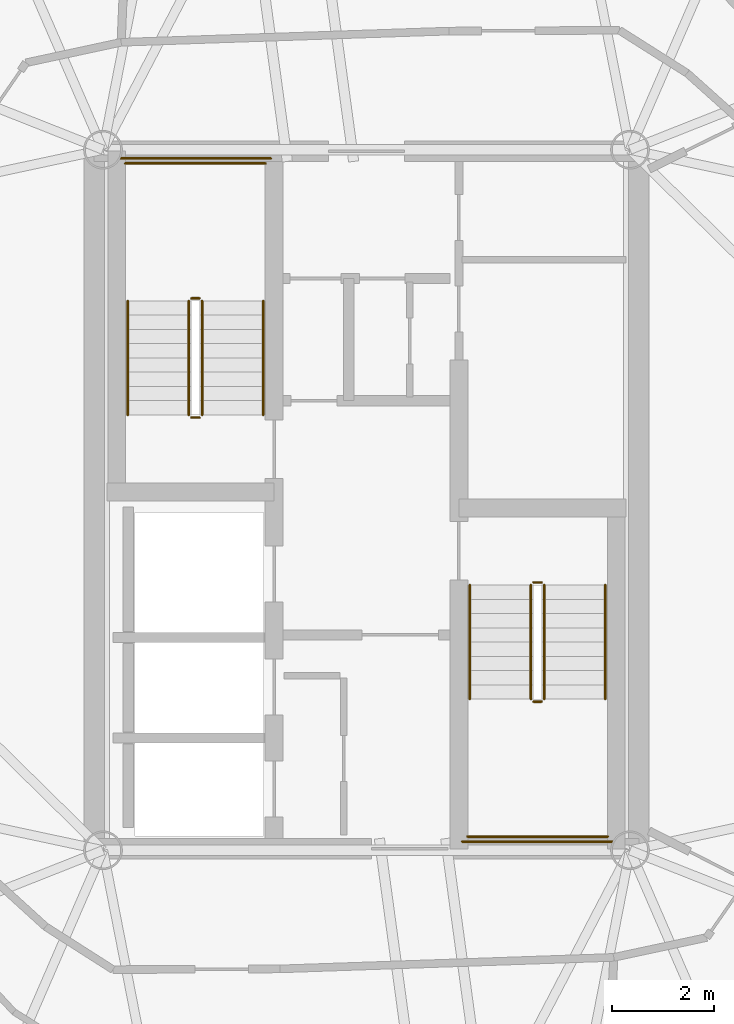
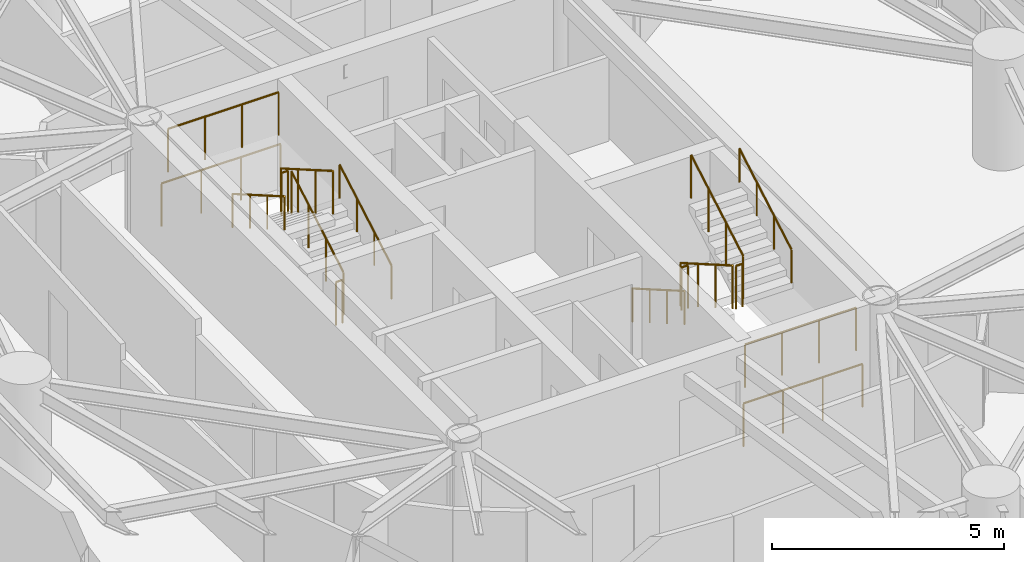
# One storey, part 16 of 17: 16 railings.
"""IFC4 building model written with IfcOpenShell, lengths in metres."""

from ifc_helpers import new_model, si_unit, direction, frame, origin, origin_2d, place, context, subcontext, project, spatial, circle, extrude, material, type_object, element, save


model = new_model("IFC4")

# Units and contexts
model_context = context("Model", 3, precision=1e-05, world=origin(), true_north=direction((0.0, 1.0)))
body_context = subcontext(model_context, "Body", "Model", "MODEL_VIEW")
ifc_project = project(units=[si_unit("LENGTHUNIT", "METRE"), si_unit("AREAUNIT", "SQUARE_METRE"), si_unit("VOLUMEUNIT", "CUBIC_METRE"), si_unit("PLANEANGLEUNIT", "RADIAN"), si_unit("MASSUNIT", "GRAM", prefix="KILO")], contexts=[model_context])

# Site, building, storey
site_placement = place(None, origin())
site = spatial("IfcSite", under=ifc_project, at=site_placement, CompositionType="ELEMENT")
building_placement = place(site_placement, origin())
building = spatial("IfcBuilding", under=site, at=building_placement, Name="Cununo Teusaquillo Station Towers", CompositionType="ELEMENT")
storey_placement = place(building_placement, frame((0.0, 0.0, 166.14990234375)))
storey = spatial("IfcBuildingStorey", under=building, at=storey_placement, Name="L52", CompositionType="ELEMENT", Elevation=166.14990234375)

# Railings
ifc_material_1 = material(Name="Steel EN 10025-2 S355J2", Category="steel")
railing_type_1 = type_object("IfcRailingType", Name="RL-INT-GUARD", PredefinedType="GUARDRAIL", material=ifc_material_1)
railing_1_placement = place(storey_placement, frame((13.27001953125, 26.169921875, 0.161865234375)))
element("IfcRailing", 1, at=railing_1_placement, inside=storey, type_object=railing_type_1, Name="L52 ST-T1-1 stair guard 1", PredefinedType="GUARDRAIL", context=body_context, shape_type="SweptSolid", body=[
    extrude(circle(Radius=0.02392578125, at=origin_2d()), frame((0.0, 0.0, 1.1259765625), z_axis=(0.0, 0.866033117094, 0.499986639918), x_axis=(-1.0, 0.0, 0.0)), (0.0, 0.0, 1.0), 2.58642578125),
    extrude(circle(Radius=0.02099609375, at=origin_2d()), origin(), (0.0, 0.0, 1.0), 1.101806640625),
    extrude(circle(Radius=0.02099609375, at=origin_2d()), frame((0.0, 0.74658203125, 0.43115234375)), (0.0, 0.0, 1.0), 1.101806640625),
    extrude(circle(Radius=0.02099609375, at=origin_2d()), frame((0.0, 1.493408203125, 0.862060546875)), (0.0, 0.0, 1.0), 1.101806640625),
    extrude(circle(Radius=0.02099609375, at=origin_2d()), frame((0.0, 2.239990234375, 1.293212890625)), (0.0, 0.0, 1.0), 1.101806640625),
])
railing_2_placement = place(storey_placement, frame((13.219970703125, 28.4599609375, 1.455078125)))
element("IfcRailing", 2, at=railing_2_placement, inside=storey, type_object=railing_type_1, Name="L52 ST-T1-1 stair guard 2", PredefinedType="GUARDRAIL", context=body_context, shape_type="SweptSolid", body=[
    extrude(circle(Radius=0.02392578125, at=origin_2d()), frame((0.0, 0.0, 1.1259765625), z_axis=(-1.0, 0.0, 0.0), x_axis=(0.0, -1.0, 0.0)), (0.0, 0.0, 1.0), 0.159912109375),
    extrude(circle(Radius=0.02099609375, at=origin_2d()), origin(), (0.0, 0.0, 1.0), 1.101806640625),
    extrude(circle(Radius=0.02099609375, at=origin_2d()), frame((-0.159912109375, 0.0, 0.0)), (0.0, 0.0, 1.0), 1.101806640625),
])
railing_3_placement = place(storey_placement, frame((14.52001953125, 31.110107421875, 1.455078125)))
element("IfcRailing", 3, at=railing_3_placement, inside=storey, type_object=railing_type_1, Name="L52 ST-T1-1 stair guard 3", PredefinedType="GUARDRAIL", context=body_context, shape_type="SweptSolid", body=[
    extrude(circle(Radius=0.02392578125, at=origin_2d()), frame((0.0, 0.0, 1.1259765625), z_axis=(-1.0, 0.0, 0.0), x_axis=(0.0, -1.0, 0.0)), (0.0, 0.0, 1.0), 2.760009765625),
    extrude(circle(Radius=0.02099609375, at=origin_2d()), origin(), (0.0, 0.0, 1.0), 1.101806640625),
    extrude(circle(Radius=0.02099609375, at=origin_2d()), frame((-0.919921875, 0.0, 0.0)), (0.0, 0.0, 1.0), 1.101806640625),
    extrude(circle(Radius=0.02099609375, at=origin_2d()), frame((-1.840087890625, 0.0, 0.0)), (0.0, 0.0, 1.0), 1.101806640625),
    extrude(circle(Radius=0.02099609375, at=origin_2d()), frame((-2.760009765625, 0.0, 0.0)), (0.0, 0.0, 1.0), 1.101806640625),
])
railing_4_placement = place(storey_placement, frame((13.010009765625, 28.409912109375, 1.61669921875)))
element("IfcRailing", 4, at=railing_4_placement, inside=storey, type_object=railing_type_1, Name="L52 ST-T1-1 stair guard 4", PredefinedType="GUARDRAIL", context=body_context, shape_type="SweptSolid", body=[
    extrude(circle(Radius=0.02392578125, at=origin_2d()), frame((0.0, 0.0, 1.1259765625), z_axis=(0.0, -0.865992244559, 0.500057429065), x_axis=(1.0, 0.0, 0.0)), (0.0, 0.0, 1.0), 2.586669921875),
    extrude(circle(Radius=0.02099609375, at=origin_2d()), origin(), (0.0, 0.0, 1.0), 1.101806640625),
    extrude(circle(Radius=0.02099609375, at=origin_2d()), frame((0.0, -0.74658203125, 0.43115234375)), (0.0, 0.0, 1.0), 1.101806640625),
    extrude(circle(Radius=0.02099609375, at=origin_2d()), frame((0.0, -1.493408203125, 0.8623046875)), (0.0, 0.0, 1.0), 1.101806640625),
    extrude(circle(Radius=0.02099609375, at=origin_2d()), frame((0.0, -2.239990234375, 1.29345703125)), (0.0, 0.0, 1.0), 1.101806640625),
])
railing_5_placement = place(storey_placement, frame((13.219970703125, 26.1201171875, 0.0)))
element("IfcRailing", 5, at=railing_5_placement, inside=storey, type_object=railing_type_1, Name="L52 ST-T1-1 stair guard 5", PredefinedType="GUARDRAIL", context=body_context, shape_type="SweptSolid", body=[
    extrude(circle(Radius=0.02392578125, at=origin_2d()), frame((0.0, 0.0, 1.1259765625), z_axis=(-1.0, 0.0, 0.0), x_axis=(0.0, -1.0, 0.0)), (0.0, 0.0, 1.0), 0.159912109375),
    extrude(circle(Radius=0.02099609375, at=origin_2d()), origin(), (0.0, 0.0, 1.0), 1.101806640625),
    extrude(circle(Radius=0.02099609375, at=origin_2d()), frame((-0.159912109375, 0.0, 0.0)), (0.0, 0.0, 1.0), 1.101806640625),
])
railing_6_placement = place(storey_placement, frame((14.6201171875, 31.2099609375, 0.0)))
element("IfcRailing", 6, at=railing_6_placement, inside=storey, type_object=railing_type_1, Name="L52 ST-T1-1 stair guard 6", PredefinedType="GUARDRAIL", context=body_context, shape_type="SweptSolid", body=[
    extrude(circle(Radius=0.02392578125, at=origin_2d()), frame((0.0, 0.0, 1.1259765625), z_axis=(-1.0, 0.0, 0.0), x_axis=(0.0, -1.0, 0.0)), (0.0, 0.0, 1.0), 2.960205078125),
    extrude(circle(Radius=0.02099609375, at=origin_2d()), origin(), (0.0, 0.0, 1.0), 1.101806640625),
    extrude(circle(Radius=0.02099609375, at=origin_2d()), frame((-0.98681640625, 0.0, 0.0)), (0.0, 0.0, 1.0), 1.101806640625),
    extrude(circle(Radius=0.02099609375, at=origin_2d()), frame((-1.973388671875, 0.0, 0.0)), (0.0, 0.0, 1.0), 1.101806640625),
    extrude(circle(Radius=0.02099609375, at=origin_2d()), frame((-2.960205078125, 0.0, 0.0)), (0.0, 0.0, 1.0), 1.101806640625),
])
railing_7_placement = place(storey_placement, frame((19.72998046875, 22.830078125, 0.161865234375)))
element("IfcRailing", 7, at=railing_7_placement, inside=storey, type_object=railing_type_1, Name="L52 ST-T1-2 stair guard 1", PredefinedType="GUARDRAIL", context=body_context, shape_type="SweptSolid", body=[
    extrude(circle(Radius=0.02392578125, at=origin_2d()), frame((0.0, 0.0, 1.1259765625), z_axis=(0.0, -0.866033117094, 0.499986639918), x_axis=(1.0, 0.0, 0.0)), (0.0, 0.0, 1.0), 2.58642578125),
    extrude(circle(Radius=0.02099609375, at=origin_2d()), origin(), (0.0, 0.0, 1.0), 1.101806640625),
    extrude(circle(Radius=0.02099609375, at=origin_2d()), frame((0.0, -0.74658203125, 0.43115234375)), (0.0, 0.0, 1.0), 1.101806640625),
    extrude(circle(Radius=0.02099609375, at=origin_2d()), frame((0.0, -1.493408203125, 0.862060546875)), (0.0, 0.0, 1.0), 1.101806640625),
    extrude(circle(Radius=0.02099609375, at=origin_2d()), frame((0.0, -2.239990234375, 1.293212890625)), (0.0, 0.0, 1.0), 1.101806640625),
])
railing_8_placement = place(storey_placement, frame((19.780029296875, 20.5400390625, 1.455078125)))
element("IfcRailing", 8, at=railing_8_placement, inside=storey, type_object=railing_type_1, Name="L52 ST-T1-2 stair guard 2", PredefinedType="GUARDRAIL", context=body_context, shape_type="SweptSolid", body=[
    extrude(circle(Radius=0.02392578125, at=origin_2d()), frame((0.0, 0.0, 1.1259765625), z_axis=(1.0, 0.0, 0.0), x_axis=(0.0, 1.0, 0.0)), (0.0, 0.0, 1.0), 0.159912109375),
    extrude(circle(Radius=0.02099609375, at=origin_2d()), origin(), (0.0, 0.0, 1.0), 1.101806640625),
    extrude(circle(Radius=0.02099609375, at=origin_2d()), frame((0.159912109375, 0.0, 0.0)), (0.0, 0.0, 1.0), 1.101806640625),
])
railing_9_placement = place(storey_placement, frame((18.47998046875, 17.889892578125, 1.455078125)))
element("IfcRailing", 9, at=railing_9_placement, inside=storey, type_object=railing_type_1, Name="L52 ST-T1-2 stair guard 3", PredefinedType="GUARDRAIL", context=body_context, shape_type="SweptSolid", body=[
    extrude(circle(Radius=0.02392578125, at=origin_2d()), frame((0.0, 0.0, 1.1259765625), z_axis=(1.0, 0.0, 0.0), x_axis=(0.0, 1.0, 0.0)), (0.0, 0.0, 1.0), 2.760009765625),
    extrude(circle(Radius=0.02099609375, at=origin_2d()), origin(), (0.0, 0.0, 1.0), 1.101806640625),
    extrude(circle(Radius=0.02099609375, at=origin_2d()), frame((0.919921875, 0.0, 0.0)), (0.0, 0.0, 1.0), 1.101806640625),
    extrude(circle(Radius=0.02099609375, at=origin_2d()), frame((1.840087890625, 0.0, 0.0)), (0.0, 0.0, 1.0), 1.101806640625),
    extrude(circle(Radius=0.02099609375, at=origin_2d()), frame((2.760009765625, 0.0, 0.0)), (0.0, 0.0, 1.0), 1.101806640625),
])
railing_10_placement = place(storey_placement, frame((19.989990234375, 20.590087890625, 1.61669921875)))
element("IfcRailing", 10, at=railing_10_placement, inside=storey, type_object=railing_type_1, Name="L52 ST-T1-2 stair guard 4", PredefinedType="GUARDRAIL", context=body_context, shape_type="SweptSolid", body=[
    extrude(circle(Radius=0.02392578125, at=origin_2d()), frame((0.0, 0.0, 1.1259765625), z_axis=(0.0, 0.865992244559, 0.500057429065), x_axis=(-1.0, 0.0, 0.0)), (0.0, 0.0, 1.0), 2.586669921875),
    extrude(circle(Radius=0.02099609375, at=origin_2d()), origin(), (0.0, 0.0, 1.0), 1.101806640625),
    extrude(circle(Radius=0.02099609375, at=origin_2d()), frame((0.0, 0.74658203125, 0.43115234375)), (0.0, 0.0, 1.0), 1.101806640625),
    extrude(circle(Radius=0.02099609375, at=origin_2d()), frame((0.0, 1.493408203125, 0.8623046875)), (0.0, 0.0, 1.0), 1.101806640625),
    extrude(circle(Radius=0.02099609375, at=origin_2d()), frame((0.0, 2.239990234375, 1.29345703125)), (0.0, 0.0, 1.0), 1.101806640625),
])
railing_11_placement = place(storey_placement, frame((19.780029296875, 22.8798828125, 0.0)))
element("IfcRailing", 11, at=railing_11_placement, inside=storey, type_object=railing_type_1, Name="L52 ST-T1-2 stair guard 5", PredefinedType="GUARDRAIL", context=body_context, shape_type="SweptSolid", body=[
    extrude(circle(Radius=0.02392578125, at=origin_2d()), frame((0.0, 0.0, 1.1259765625), z_axis=(1.0, 0.0, 0.0), x_axis=(0.0, 1.0, 0.0)), (0.0, 0.0, 1.0), 0.159912109375),
    extrude(circle(Radius=0.02099609375, at=origin_2d()), origin(), (0.0, 0.0, 1.0), 1.101806640625),
    extrude(circle(Radius=0.02099609375, at=origin_2d()), frame((0.159912109375, 0.0, 0.0)), (0.0, 0.0, 1.0), 1.101806640625),
])
railing_12_placement = place(storey_placement, frame((18.3798828125, 17.7900390625, 0.0)))
element("IfcRailing", 12, at=railing_12_placement, inside=storey, type_object=railing_type_1, Name="L52 ST-T1-2 stair guard 6", PredefinedType="GUARDRAIL", context=body_context, shape_type="SweptSolid", body=[
    extrude(circle(Radius=0.02392578125, at=origin_2d()), frame((0.0, 0.0, 1.1259765625), z_axis=(1.0, 0.0, 0.0), x_axis=(0.0, 1.0, 0.0)), (0.0, 0.0, 1.0), 2.960205078125),
    extrude(circle(Radius=0.02099609375, at=origin_2d()), origin(), (0.0, 0.0, 1.0), 1.101806640625),
    extrude(circle(Radius=0.02099609375, at=origin_2d()), frame((0.98681640625, 0.0, 0.0)), (0.0, 0.0, 1.0), 1.101806640625),
    extrude(circle(Radius=0.02099609375, at=origin_2d()), frame((1.973388671875, 0.0, 0.0)), (0.0, 0.0, 1.0), 1.101806640625),
    extrude(circle(Radius=0.02099609375, at=origin_2d()), frame((2.960205078125, 0.0, 0.0)), (0.0, 0.0, 1.0), 1.101806640625),
])
ifc_material_2 = material(Name="Steel EN 10025-2 S355J2", Category="steel")
railing_type_2 = type_object("IfcRailingType", Name="RL-INT-HRAIL", PredefinedType="HANDRAIL", material=ifc_material_2)
railing_13_placement = place(storey_placement, frame((14.469970703125, 26.169921875, 0.161865234375)))
element("IfcRailing", 13, at=railing_13_placement, inside=storey, type_object=railing_type_2, Name="L52 ST-T1-1 stair handrail 1", PredefinedType="HANDRAIL", context=body_context, shape_type="SweptSolid", body=[
    extrude(circle(Radius=0.02392578125, at=origin_2d()), frame((0.0, 0.0, 0.8759765625), z_axis=(0.0, 0.866033117094, 0.499986639918), x_axis=(-1.0, 0.0, 0.0)), (0.0, 0.0, 1.0), 2.58642578125),
    extrude(circle(Radius=0.02099609375, at=origin_2d()), origin(), (0.0, 0.0, 1.0), 0.851806640625),
    extrude(circle(Radius=0.02099609375, at=origin_2d()), frame((0.0, 0.74658203125, 0.43115234375)), (0.0, 0.0, 1.0), 0.851806640625),
    extrude(circle(Radius=0.02099609375, at=origin_2d()), frame((0.0, 1.493408203125, 0.862060546875)), (0.0, 0.0, 1.0), 0.851806640625),
    extrude(circle(Radius=0.02099609375, at=origin_2d()), frame((0.0, 2.239990234375, 1.293212890625)), (0.0, 0.0, 1.0), 0.851806640625),
])
railing_14_placement = place(storey_placement, frame((11.81005859375, 28.409912109375, 1.61669921875)))
element("IfcRailing", 14, at=railing_14_placement, inside=storey, type_object=railing_type_2, Name="L52 ST-T1-1 stair handrail 2", PredefinedType="HANDRAIL", context=body_context, shape_type="SweptSolid", body=[
    extrude(circle(Radius=0.02392578125, at=origin_2d()), frame((0.0, 0.0, 0.8759765625), z_axis=(0.0, -0.865992244559, 0.500057429065), x_axis=(1.0, 0.0, 0.0)), (0.0, 0.0, 1.0), 2.586669921875),
    extrude(circle(Radius=0.02099609375, at=origin_2d()), origin(), (0.0, 0.0, 1.0), 0.851806640625),
    extrude(circle(Radius=0.02099609375, at=origin_2d()), frame((0.0, -0.74658203125, 0.43115234375)), (0.0, 0.0, 1.0), 0.851806640625),
    extrude(circle(Radius=0.02099609375, at=origin_2d()), frame((0.0, -1.493408203125, 0.8623046875)), (0.0, 0.0, 1.0), 0.851806640625),
    extrude(circle(Radius=0.02099609375, at=origin_2d()), frame((0.0, -2.239990234375, 1.29345703125)), (0.0, 0.0, 1.0), 0.851806640625),
])
railing_15_placement = place(storey_placement, frame((18.530029296875, 22.830078125, 0.161865234375)))
element("IfcRailing", 15, at=railing_15_placement, inside=storey, type_object=railing_type_2, Name="L52 ST-T1-2 stair handrail 1", PredefinedType="HANDRAIL", context=body_context, shape_type="SweptSolid", body=[
    extrude(circle(Radius=0.02392578125, at=origin_2d()), frame((0.0, 0.0, 0.8759765625), z_axis=(0.0, -0.866033117094, 0.499986639918), x_axis=(1.0, 0.0, 0.0)), (0.0, 0.0, 1.0), 2.58642578125),
    extrude(circle(Radius=0.02099609375, at=origin_2d()), origin(), (0.0, 0.0, 1.0), 0.851806640625),
    extrude(circle(Radius=0.02099609375, at=origin_2d()), frame((0.0, -0.74658203125, 0.43115234375)), (0.0, 0.0, 1.0), 0.851806640625),
    extrude(circle(Radius=0.02099609375, at=origin_2d()), frame((0.0, -1.493408203125, 0.862060546875)), (0.0, 0.0, 1.0), 0.851806640625),
    extrude(circle(Radius=0.02099609375, at=origin_2d()), frame((0.0, -2.239990234375, 1.293212890625)), (0.0, 0.0, 1.0), 0.851806640625),
])
railing_16_placement = place(storey_placement, frame((21.18994140625, 20.590087890625, 1.61669921875)))
element("IfcRailing", 16, at=railing_16_placement, inside=storey, type_object=railing_type_2, Name="L52 ST-T1-2 stair handrail 2", PredefinedType="HANDRAIL", context=body_context, shape_type="SweptSolid", body=[
    extrude(circle(Radius=0.02392578125, at=origin_2d()), frame((0.0, 0.0, 0.8759765625), z_axis=(0.0, 0.865992244559, 0.500057429065), x_axis=(-1.0, 0.0, 0.0)), (0.0, 0.0, 1.0), 2.586669921875),
    extrude(circle(Radius=0.02099609375, at=origin_2d()), origin(), (0.0, 0.0, 1.0), 0.851806640625),
    extrude(circle(Radius=0.02099609375, at=origin_2d()), frame((0.0, 0.74658203125, 0.43115234375)), (0.0, 0.0, 1.0), 0.851806640625),
    extrude(circle(Radius=0.02099609375, at=origin_2d()), frame((0.0, 1.493408203125, 0.8623046875)), (0.0, 0.0, 1.0), 0.851806640625),
    extrude(circle(Radius=0.02099609375, at=origin_2d()), frame((0.0, 2.239990234375, 1.29345703125)), (0.0, 0.0, 1.0), 0.851806640625),
])

save(model, "model.ifc")
